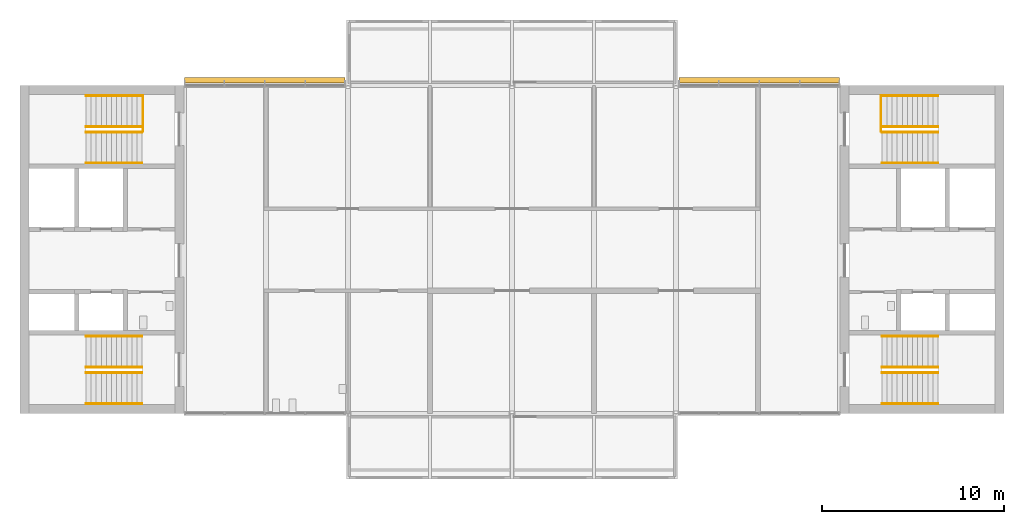
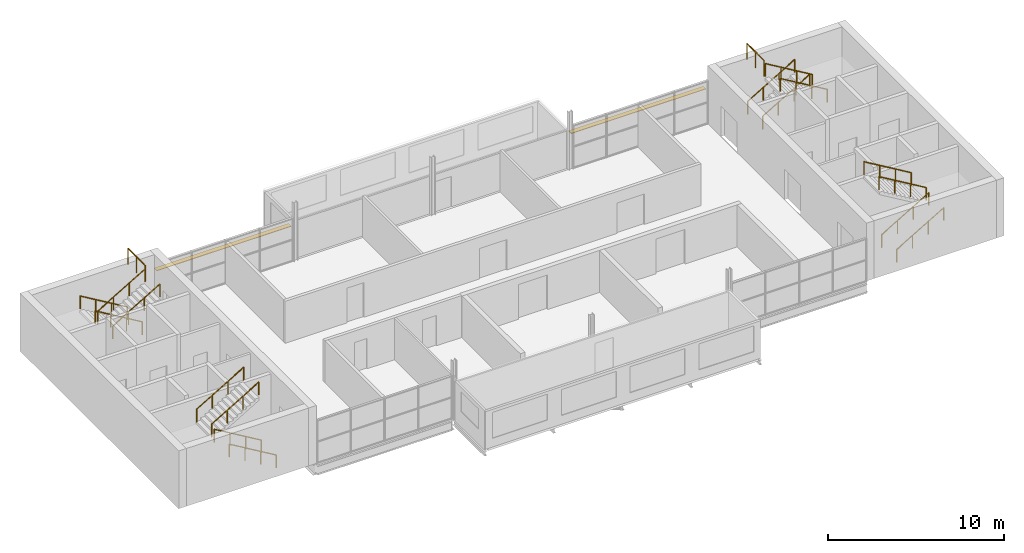
# One storey, part 9 of 10: 18 railings, 2 shading devices.
"""IFC4 building model written with IfcOpenShell, lengths in metres."""

from ifc_helpers import new_model, si_unit, direction, frame, origin, origin_2d, place, context, subcontext, project, spatial, rectangle, circle, extrude, material, layer, layer_set, type_object, element, save


model = new_model("IFC4")

# Units and contexts
model_context = context("Model", 3, precision=1e-05, world=origin(), true_north=direction((0.0, 1.0)))
body_context = subcontext(model_context, "Body", "Model", "MODEL_VIEW")
ifc_project = project(units=[si_unit("LENGTHUNIT", "METRE"), si_unit("AREAUNIT", "SQUARE_METRE"), si_unit("VOLUMEUNIT", "CUBIC_METRE"), si_unit("PLANEANGLEUNIT", "RADIAN"), si_unit("MASSUNIT", "GRAM", prefix="KILO")], contexts=[model_context])

# Site, building, storey
site_placement = place(None, origin())
site = spatial("IfcSite", under=ifc_project, at=site_placement, CompositionType="ELEMENT")
building_placement = place(site_placement, origin())
building = spatial("IfcBuilding", under=site, at=building_placement, Name="Corbel Yard City Hall", CompositionType="ELEMENT")
storey_placement = place(building_placement, frame((0.0, 0.0, 67.199951171875)))
storey = spatial("IfcBuildingStorey", under=building, at=storey_placement, Name="L16", CompositionType="ELEMENT", Elevation=67.199951171875)

# Railings
ifc_material_1 = material(Name="Stainless steel Grade 316", Category="steel")
railing_type_1 = type_object("IfcRailingType", Name="GR1", PredefinedType="GUARDRAIL", material=ifc_material_1)
for number, where, name in (
    (1, (6.75, 116.449951171875, 4.0), "Exit stair ST-W2 guard"),
    (2, (47.25, 116.449951171875, 4.0), "Exit stair ST-E2 guard"),
):
    element("IfcRailing", number, at=place(storey_placement, frame(where)), inside=storey, type_object=railing_type_1, Name=name, PredefinedType="GUARDRAIL", context=body_context, shape_type="SweptSolid", body=[
        extrude(circle(Radius=0.02392578125, at=origin_2d()), frame((0.0, 0.0, 1.076171875), z_axis=(0.0, -1.0, 0.0), x_axis=(1.0, 0.0, 0.0)), (0.0, 0.0, 1.0), 1.949951171875),
        extrude(circle(Radius=0.02099609375, at=origin_2d()), origin(), (0.0, 0.0, 1.0), 1.052001953125),
        extrude(circle(Radius=0.02099609375, at=origin_2d()), frame((0.0, -0.97509765625, 0.0)), (0.0, 0.0, 1.0), 1.052001953125),
        extrude(circle(Radius=0.02099609375, at=origin_2d()), frame((0.0, -1.949951171875, 0.0)), (0.0, 0.0, 1.0), 1.052001953125),
    ])
railing_type_2 = type_object("IfcRailingType", Name="HR1", PredefinedType="HANDRAIL", material=ifc_material_1)
for number, where, name in (
    (3, (6.699951171875, 99.550048828125, 0.166748046875), "Exit stair ST-W1 handrail"),
    (4, (6.699951171875, 101.25, 0.166748046875), "Exit stair ST-W1 handrail"),
):
    element("IfcRailing", number, at=place(storey_placement, frame(where)), inside=storey, type_object=railing_type_2, Name=name, PredefinedType="HANDRAIL", context=body_context, shape_type="SweptSolid", body=[
        extrude(circle(Radius=0.02392578125, at=origin_2d()), frame((0.0, 0.0, 0.8759765625), z_axis=(-0.859290745958, 0.0, 0.51148745235), x_axis=(0.0, -1.0, 0.0)), (0.0, 0.0, 1.0), 3.584228515625),
        extrude(circle(Radius=0.02099609375, at=origin_2d()), origin(), (0.0, 0.0, 1.0), 0.851806640625),
        extrude(circle(Radius=0.02099609375, at=origin_2d()), frame((-1.026611328125, 0.0, 0.611083984375)), (0.0, 0.0, 1.0), 0.851806640625),
        extrude(circle(Radius=0.02099609375, at=origin_2d()), frame((-2.05322265625, 0.0, 1.22216796875)), (0.0, 0.0, 1.0), 0.851806640625),
        extrude(circle(Radius=0.02099609375, at=origin_2d()), frame((-3.079833984375, 0.0, 1.833251953125)), (0.0, 0.0, 1.0), 0.851806640625),
    ])
for number, where, name in (
    (5, (3.6201171875, 101.550048828125, 2.166748046875), "Exit stair ST-W1 handrail"),
    (6, (3.6201171875, 103.25, 2.166748046875), "Exit stair ST-W1 handrail"),
):
    element("IfcRailing", number, at=place(storey_placement, frame(where)), inside=storey, type_object=railing_type_2, Name=name, PredefinedType="HANDRAIL", context=body_context, shape_type="SweptSolid", body=[
        extrude(circle(Radius=0.02392578125, at=origin_2d()), frame((0.0, 0.0, 0.8759765625), z_axis=(0.859290745958, 0.0, 0.51148745235), x_axis=(0.0, 1.0, 0.0)), (0.0, 0.0, 1.0), 3.584228515625),
        extrude(circle(Radius=0.02099609375, at=origin_2d()), origin(), (0.0, 0.0, 1.0), 0.851806640625),
        extrude(circle(Radius=0.02099609375, at=origin_2d()), frame((1.026611328125, 0.0, 0.611083984375)), (0.0, 0.0, 1.0), 0.851806640625),
        extrude(circle(Radius=0.02099609375, at=origin_2d()), frame((2.05322265625, 0.0, 1.22216796875)), (0.0, 0.0, 1.0), 0.851806640625),
        extrude(circle(Radius=0.02099609375, at=origin_2d()), frame((3.079833984375, 0.0, 1.833251953125)), (0.0, 0.0, 1.0), 0.851806640625),
    ])
for number, where, name in (
    (7, (6.699951171875, 116.449951171875, 0.166748046875), "Exit stair ST-W2 handrail"),
    (8, (6.699951171875, 114.75, 0.166748046875), "Exit stair ST-W2 handrail"),
):
    element("IfcRailing", number, at=place(storey_placement, frame(where)), inside=storey, type_object=railing_type_2, Name=name, PredefinedType="HANDRAIL", context=body_context, shape_type="SweptSolid", body=[
        extrude(circle(Radius=0.02392578125, at=origin_2d()), frame((0.0, 0.0, 0.8759765625), z_axis=(-0.859290745958, 0.0, 0.51148745235), x_axis=(0.0, -1.0, 0.0)), (0.0, 0.0, 1.0), 3.584228515625),
        extrude(circle(Radius=0.02099609375, at=origin_2d()), origin(), (0.0, 0.0, 1.0), 0.851806640625),
        extrude(circle(Radius=0.02099609375, at=origin_2d()), frame((-1.026611328125, 0.0, 0.611083984375)), (0.0, 0.0, 1.0), 0.851806640625),
        extrude(circle(Radius=0.02099609375, at=origin_2d()), frame((-2.05322265625, 0.0, 1.22216796875)), (0.0, 0.0, 1.0), 0.851806640625),
        extrude(circle(Radius=0.02099609375, at=origin_2d()), frame((-3.079833984375, 0.0, 1.833251953125)), (0.0, 0.0, 1.0), 0.851806640625),
    ])
for number, where, name in (
    (9, (3.6201171875, 114.449951171875, 2.166748046875), "Exit stair ST-W2 handrail"),
    (10, (3.6201171875, 112.75, 2.166748046875), "Exit stair ST-W2 handrail"),
    (11, (47.300048828125, 99.550048828125, 0.166748046875), "Exit stair ST-E1 handrail"),
    (12, (47.300048828125, 101.25, 0.166748046875), "Exit stair ST-E1 handrail"),
):
    element("IfcRailing", number, at=place(storey_placement, frame(where)), inside=storey, type_object=railing_type_2, Name=name, PredefinedType="HANDRAIL", context=body_context, shape_type="SweptSolid", body=[
        extrude(circle(Radius=0.02392578125, at=origin_2d()), frame((0.0, 0.0, 0.8759765625), z_axis=(0.859290745958, 0.0, 0.51148745235), x_axis=(0.0, 1.0, 0.0)), (0.0, 0.0, 1.0), 3.584228515625),
        extrude(circle(Radius=0.02099609375, at=origin_2d()), origin(), (0.0, 0.0, 1.0), 0.851806640625),
        extrude(circle(Radius=0.02099609375, at=origin_2d()), frame((1.026611328125, 0.0, 0.611083984375)), (0.0, 0.0, 1.0), 0.851806640625),
        extrude(circle(Radius=0.02099609375, at=origin_2d()), frame((2.05322265625, 0.0, 1.22216796875)), (0.0, 0.0, 1.0), 0.851806640625),
        extrude(circle(Radius=0.02099609375, at=origin_2d()), frame((3.079833984375, 0.0, 1.833251953125)), (0.0, 0.0, 1.0), 0.851806640625),
    ])
for number, where, name in (
    (13, (50.3798828125, 101.550048828125, 2.166748046875), "Exit stair ST-E1 handrail"),
    (14, (50.3798828125, 103.25, 2.166748046875), "Exit stair ST-E1 handrail"),
):
    element("IfcRailing", number, at=place(storey_placement, frame(where)), inside=storey, type_object=railing_type_2, Name=name, PredefinedType="HANDRAIL", context=body_context, shape_type="SweptSolid", body=[
        extrude(circle(Radius=0.02392578125, at=origin_2d()), frame((0.0, 0.0, 0.8759765625), z_axis=(-0.859290745958, 0.0, 0.51148745235), x_axis=(0.0, -1.0, 0.0)), (0.0, 0.0, 1.0), 3.584228515625),
        extrude(circle(Radius=0.02099609375, at=origin_2d()), origin(), (0.0, 0.0, 1.0), 0.851806640625),
        extrude(circle(Radius=0.02099609375, at=origin_2d()), frame((-1.026611328125, 0.0, 0.611083984375)), (0.0, 0.0, 1.0), 0.851806640625),
        extrude(circle(Radius=0.02099609375, at=origin_2d()), frame((-2.05322265625, 0.0, 1.22216796875)), (0.0, 0.0, 1.0), 0.851806640625),
        extrude(circle(Radius=0.02099609375, at=origin_2d()), frame((-3.079833984375, 0.0, 1.833251953125)), (0.0, 0.0, 1.0), 0.851806640625),
    ])
for number, where, name in (
    (15, (47.300048828125, 116.449951171875, 0.166748046875), "Exit stair ST-E2 handrail"),
    (16, (47.300048828125, 114.75, 0.166748046875), "Exit stair ST-E2 handrail"),
):
    element("IfcRailing", number, at=place(storey_placement, frame(where)), inside=storey, type_object=railing_type_2, Name=name, PredefinedType="HANDRAIL", context=body_context, shape_type="SweptSolid", body=[
        extrude(circle(Radius=0.02392578125, at=origin_2d()), frame((0.0, 0.0, 0.8759765625), z_axis=(0.859290745958, 0.0, 0.51148745235), x_axis=(0.0, 1.0, 0.0)), (0.0, 0.0, 1.0), 3.584228515625),
        extrude(circle(Radius=0.02099609375, at=origin_2d()), origin(), (0.0, 0.0, 1.0), 0.851806640625),
        extrude(circle(Radius=0.02099609375, at=origin_2d()), frame((1.026611328125, 0.0, 0.611083984375)), (0.0, 0.0, 1.0), 0.851806640625),
        extrude(circle(Radius=0.02099609375, at=origin_2d()), frame((2.05322265625, 0.0, 1.22216796875)), (0.0, 0.0, 1.0), 0.851806640625),
        extrude(circle(Radius=0.02099609375, at=origin_2d()), frame((3.079833984375, 0.0, 1.833251953125)), (0.0, 0.0, 1.0), 0.851806640625),
    ])
for number, where, name in (
    (17, (50.3798828125, 114.449951171875, 2.166748046875), "Exit stair ST-E2 handrail"),
    (18, (50.3798828125, 112.75, 2.166748046875), "Exit stair ST-E2 handrail"),
):
    element("IfcRailing", number, at=place(storey_placement, frame(where)), inside=storey, type_object=railing_type_2, Name=name, PredefinedType="HANDRAIL", context=body_context, shape_type="SweptSolid", body=[
        extrude(circle(Radius=0.02392578125, at=origin_2d()), frame((0.0, 0.0, 0.8759765625), z_axis=(-0.859290745958, 0.0, 0.51148745235), x_axis=(0.0, -1.0, 0.0)), (0.0, 0.0, 1.0), 3.584228515625),
        extrude(circle(Radius=0.02099609375, at=origin_2d()), origin(), (0.0, 0.0, 1.0), 0.851806640625),
        extrude(circle(Radius=0.02099609375, at=origin_2d()), frame((-1.026611328125, 0.0, 0.611083984375)), (0.0, 0.0, 1.0), 0.851806640625),
        extrude(circle(Radius=0.02099609375, at=origin_2d()), frame((-2.05322265625, 0.0, 1.22216796875)), (0.0, 0.0, 1.0), 0.851806640625),
        extrude(circle(Radius=0.02099609375, at=origin_2d()), frame((-3.079833984375, 0.0, 1.833251953125)), (0.0, 0.0, 1.0), 0.851806640625),
    ])

# Shading devices
ifc_material_2 = material(Name="Anodised aluminium", Category="aluminium")
ifc_layer = layer(ifc_material_2, 0.0400390625)
ifc_layer_set = layer_set([ifc_layer], Name="Anodised aluminium")
shading_device_type = type_object("IfcShadingDeviceType", Name="LV1", PredefinedType="JALOUSIE", material=ifc_layer_set)
for number, where, z_axis, x_axis, name in (
    (19, (13.43505859375, 117.2900390625, 2.280029296875), (0.0, 0.0, 1.0), (1.0, 0.0, 0.0), "Louvre blade"),
    (20, (40.56494140625, 117.2900390625, 2.280029296875), (0.0, 0.0, 1.0), (1.0, 0.0, 0.0), "Louvre blade"),
):
    element("IfcShadingDevice", number, at=place(storey_placement, frame(where, z_axis=z_axis, x_axis=x_axis)), inside=storey, type_object=shading_device_type, Name=name, PredefinedType="JALOUSIE", context=body_context, shape_type="SweptSolid", body=[
        extrude(rectangle(XDim=8.804931640625, YDim=0.300048828125, at=origin_2d()), origin(), (0.0, 0.0, 1.0), 0.0400390625),
    ])

save(model, "model.ifc")
